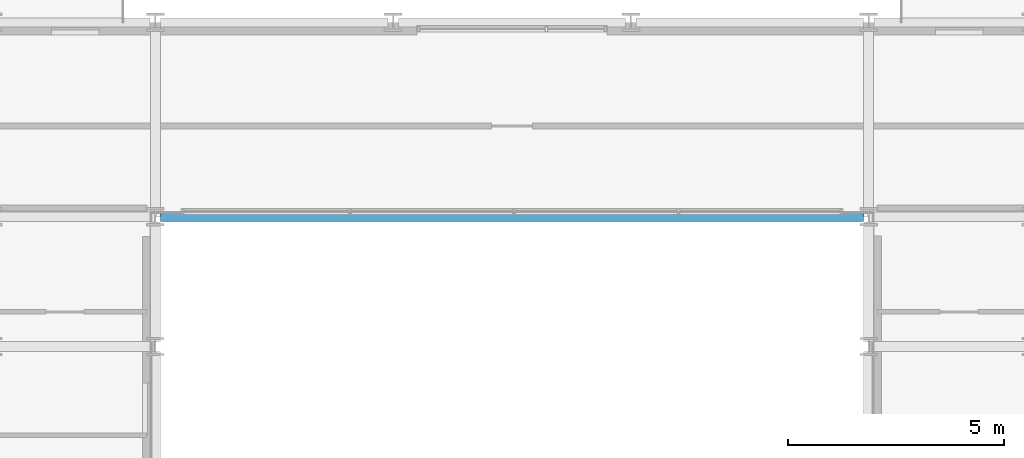
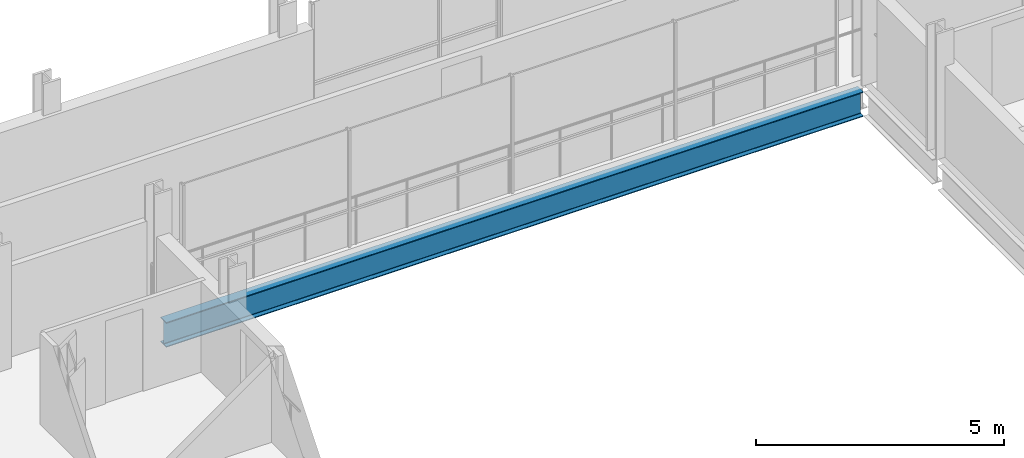
# One storey, part 10 of 38: 1 beam.
"""IFC4 building model written with IfcOpenShell, lengths in metres."""

from ifc_helpers import new_model, si_unit, direction, frame, origin, origin_2d, place, context, subcontext, project, spatial, i_section, extrude, material, material_profile, profile_set, type_object, element, save


model = new_model("IFC4")

# Units and contexts
model_context = context("Model", 3, precision=1e-05, world=origin(), true_north=direction((0.0, 1.0)))
body_context = subcontext(model_context, "Body", "Model", "MODEL_VIEW")
ifc_project = project(units=[si_unit("LENGTHUNIT", "METRE"), si_unit("AREAUNIT", "SQUARE_METRE"), si_unit("VOLUMEUNIT", "CUBIC_METRE"), si_unit("PLANEANGLEUNIT", "RADIAN"), si_unit("MASSUNIT", "GRAM", prefix="KILO")], contexts=[model_context])

# Site, building, storey
site_placement = place(None, origin())
site = spatial("IfcSite", under=ifc_project, at=site_placement, CompositionType="ELEMENT")
building_placement = place(site_placement, origin())
building = spatial("IfcBuilding", under=site, at=building_placement, Name="Brevholm Reach", CompositionType="ELEMENT")
storey_placement = place(building_placement, frame((0.0, 0.0, 122.10009765625)))
storey = spatial("IfcBuildingStorey", under=building, at=storey_placement, Name="L36", CompositionType="ELEMENT", Elevation=122.10009765625)

# Beam
ifc_material = material(Name="Structural Steel S355J2", Category="steel")
ifc_material_profile = material_profile(ifc_material, i_section(OverallWidth=0.22900390625, OverallDepth=0.6123046875, WebThickness=0.011962890625, FlangeThickness=0.01953125, FilletRadius=0.0126953125, at=origin_2d()), Name="UKB 610x229x125")
ifc_profile_set = profile_set([ifc_material_profile], Name="Structural Steel S355J2")
beam_type = type_object("IfcBeamType", Name="BM-SP610", PredefinedType="SPANDREL", material=ifc_profile_set)
beam_placement = place(storey_placement, frame((21.8701171875, 26.5, -0.526123046875), z_axis=(1.0, 0.0, 0.0), x_axis=(0.0, 1.0, 0.0)))
element("IfcBeam", 1, at=beam_placement, inside=storey, type_object=beam_type, Name="L36 SP-01 Framing Beam", PredefinedType="SPANDREL", context=body_context, shape_type="SweptSolid", body=[
    extrude(i_section(OverallWidth=0.22900390625, OverallDepth=0.6123046875, WebThickness=0.011962890625, FlangeThickness=0.01953125, FilletRadius=0.0126953125, at=origin_2d()), origin(), (0.0, 0.0, 1.0), 16.259765625),
])

save(model, "model.ifc")
